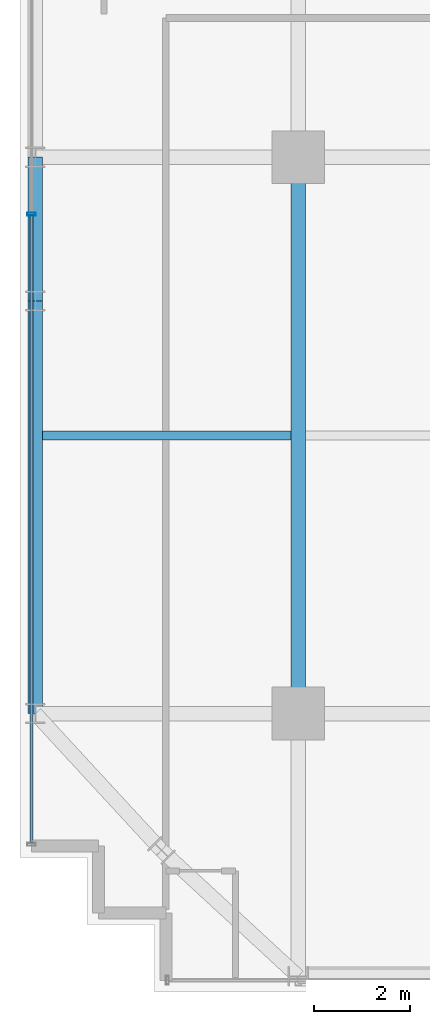
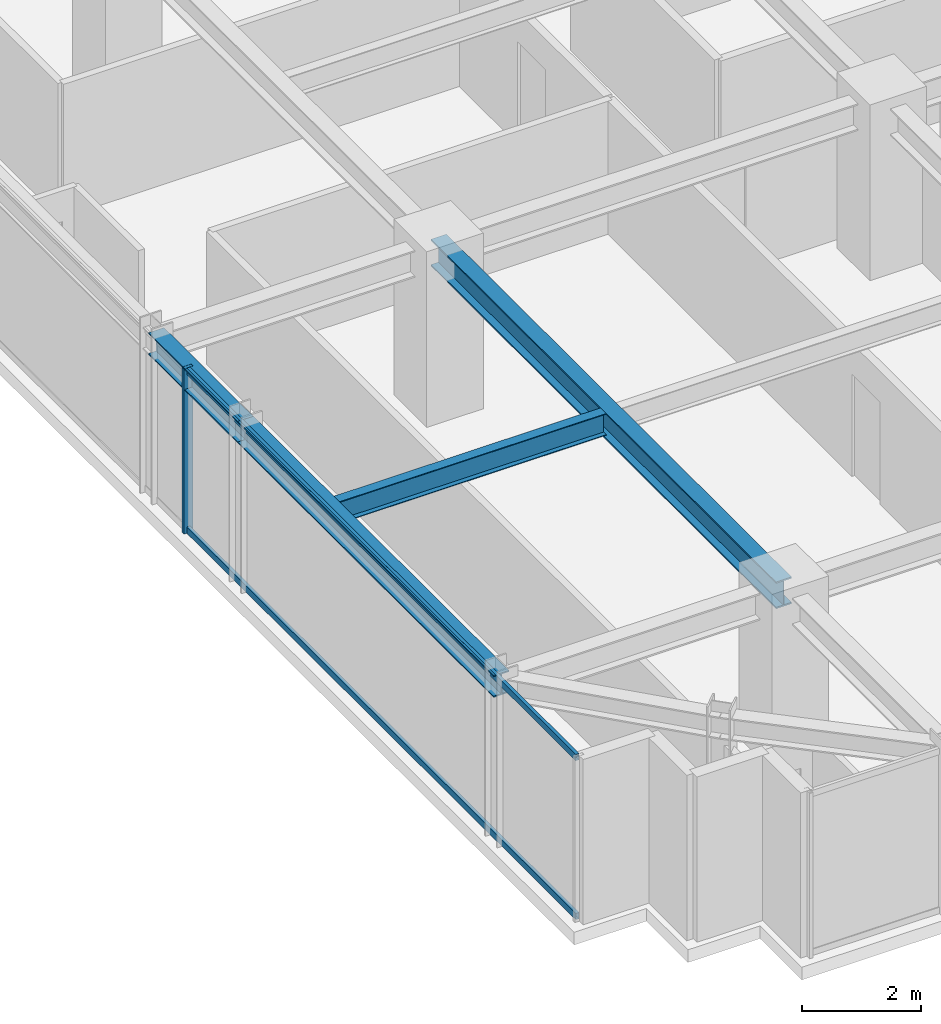
# One storey, part 4 of 29: 4 beams, 3 members, 1 element without a shape of its own.
"""IFC4 building model written with IfcOpenShell, lengths in metres."""

from ifc_helpers import new_model, si_unit, direction, frame, origin, origin_2d, place, context, subcontext, project, spatial, hollow_rectangle, i_section, extrude, source, transform, mapped, material, material_profile, profile_set, type_object, element, aggregate, save


model = new_model("IFC4")

# Units and contexts
model_context = context("Model", 3, precision=1e-05, world=origin(), true_north=direction((0.0, 1.0)))
body_context = subcontext(model_context, "Body", "Model", "MODEL_VIEW")
ifc_project = project(units=[si_unit("LENGTHUNIT", "METRE"), si_unit("AREAUNIT", "SQUARE_METRE"), si_unit("VOLUMEUNIT", "CUBIC_METRE"), si_unit("PLANEANGLEUNIT", "RADIAN"), si_unit("MASSUNIT", "GRAM", prefix="KILO")], contexts=[model_context])

# Site, building, storey
site_placement = place(None, origin())
site = spatial("IfcSite", under=ifc_project, at=site_placement, CompositionType="ELEMENT")
building_placement = place(site_placement, origin())
building = spatial("IfcBuilding", under=site, at=building_placement, Name="Nahalor Promenade Grand Hotel", CompositionType="ELEMENT")
storey_placement = place(building_placement, frame((0.0, 0.0, 189.14990234375)))
storey = spatial("IfcBuildingStorey", under=building, at=storey_placement, Name="L48", CompositionType="ELEMENT", Elevation=189.14990234375)

# Beams
ifc_material_1 = material(Name="Steel S355JR", Category="steel")
ifc_material_profile_1 = material_profile(ifc_material_1, i_section(OverallWidth=0.3, OverallDepth=0.55, WebThickness=0.015, FlangeThickness=0.029, at=origin_2d()), Name="HEB 550")
ifc_profile_set_1 = profile_set([ifc_material_profile_1], Name="Steel S355JR")
beam_type_1 = type_object("IfcBeamType", Name="Beam-Girder-HEB550", PredefinedType="BEAM", material=ifc_profile_set_1)
shared_shape_1 = source(origin(), body_context, "Body", "SweptSolid", [
    extrude(i_section(OverallWidth=0.3, OverallDepth=0.55, WebThickness=0.015, FlangeThickness=0.029, at=origin_2d()), origin(), (0.0, 0.0, 1.0), 11.60009765625),
])
beam_1_placement = place(storey_placement, frame((-17.0, -17.0, 3.114990234375), z_axis=(0.0, 1.0, 0.0), x_axis=(-1.0, 0.0, 0.0)))
element("IfcBeam", 1, at=beam_1_placement, inside=storey, type_object=beam_type_1, Name="BM-L48-GY-0-1", PredefinedType="BEAM", context=body_context, shape_type="MappedRepresentation", body=[
    mapped(shared_shape_1, transform((0.0, 0.0, 0.0), scale=1.0)),
])
ifc_material_profile_2 = material_profile(ifc_material_1, i_section(OverallWidth=0.19, OverallDepth=0.45, WebThickness=0.0094, FlangeThickness=0.0146, at=origin_2d()), Name="IPE 450")
ifc_profile_set_2 = profile_set([ifc_material_profile_2], Name="Steel S355JR")
beam_type_2 = type_object("IfcBeamType", Name="Beam-Joist-IPE450", PredefinedType="JOIST", material=ifc_profile_set_2)
shared_shape_2 = source(origin(), body_context, "Body", "SweptSolid", [
    extrude(i_section(OverallWidth=0.19, OverallDepth=0.45, WebThickness=0.0094, FlangeThickness=0.0146, at=origin_2d()), origin(), (0.0, 0.0, 1.0), 5.18017578125),
])
beam_2_placement = place(storey_placement, frame((-22.330078125, -11.199951171875, 3.1650390625), z_axis=(1.0, 0.0, 0.0), x_axis=(0.0, 1.0, 0.0)))
element("IfcBeam", 2, at=beam_2_placement, inside=storey, type_object=beam_type_2, Name="BM-L48-JSW-0-0", PredefinedType="JOIST", context=body_context, shape_type="MappedRepresentation", body=[
    mapped(shared_shape_2, transform((0.0, 0.0, 0.0), scale=1.0)),
])
ifc_material_profile_3 = material_profile(ifc_material_1, i_section(OverallWidth=0.3, OverallDepth=0.45, WebThickness=0.014, FlangeThickness=0.026, at=origin_2d()), Name="HEB 450")
ifc_profile_set_3 = profile_set([ifc_material_profile_3], Name="Steel S355JR")
beam_type_3 = type_object("IfcBeamType", Name="Beam-Spandrel-HEB450", PredefinedType="SPANDREL", material=ifc_profile_set_3)
shared_shape_3 = source(origin(), body_context, "Body", "SweptSolid", [
    extrude(i_section(OverallWidth=0.3, OverallDepth=0.45, WebThickness=0.014, FlangeThickness=0.026, at=origin_2d()), origin(), (0.0, 0.0, 1.0), 8.60009765625),
])
beam_3_placement = place(storey_placement, frame((-22.47998046875, -17.0, 3.1650390625), z_axis=(0.0, 1.0, 0.0), x_axis=(-1.0, 0.0, 0.0)))
element("IfcBeam", 3, at=beam_3_placement, inside=storey, type_object=beam_type_3, Name="BM-L48-SP-W-0", PredefinedType="SPANDREL", context=body_context, shape_type="MappedRepresentation", body=[
    mapped(shared_shape_3, transform((0.0, 0.0, 0.0), scale=1.0)),
])
shared_shape_4 = source(origin(), body_context, "Body", "SweptSolid", [
    extrude(i_section(OverallWidth=0.3, OverallDepth=0.45, WebThickness=0.014, FlangeThickness=0.026, at=origin_2d()), origin(), (0.0, 0.0, 1.0), 3.0),
])
beam_4_placement = place(storey_placement, frame((-22.47998046875, -8.39990234375, 3.1650390625), z_axis=(0.0, 1.0, 0.0), x_axis=(-1.0, 0.0, 0.0)))
element("IfcBeam", 4, at=beam_4_placement, inside=storey, type_object=beam_type_3, Name="BM-L48-SP-W-1", PredefinedType="SPANDREL", context=body_context, shape_type="MappedRepresentation", body=[
    mapped(shared_shape_4, transform((0.0, 0.0, 0.0), scale=1.0)),
])

# Curtain wall, members
ifc_material_2 = material(Name="Anodised Bronze Aluminium EN AW-6063 T6", Category="aluminium")
curtain_wall_type = type_object("IfcCurtainWallType", Name="CW2 Typical Hotel Flush Bronze Unitised Curtain Wall", PredefinedType="USERDEFINED", material=ifc_material_2)
curtain_wall_placement = place(storey_placement, origin())
curtain_wall = element("IfcCurtainWall", 5, at=curtain_wall_placement, inside=storey, type_object=curtain_wall_type, Name="L48 Curtain Wall CW-L48-W-1", ObjectType="UNITISED_CURTAIN_WALL", PredefinedType="USERDEFINED")
ifc_material_profile_4 = material_profile(ifc_material_2, hollow_rectangle(XDim=0.065, YDim=0.13, WallThickness=0.004, at=origin_2d()), Name="CWT 65x130x4")
ifc_profile_set_4 = profile_set([ifc_material_profile_4], Name="Anodised Bronze Aluminium EN AW-6063 T6")
member_type_1 = type_object("IfcMemberType", Name="CWT2 Typical Bronze Transom 65x130", PredefinedType="USERDEFINED", material=ifc_profile_set_4)
shared_shape_5 = source(origin(), body_context, "Body", "SweptSolid", [
    extrude(hollow_rectangle(XDim=0.065, YDim=0.13, WallThickness=0.004, at=origin_2d()), origin(), (0.0, 0.0, 1.0), 13.075927734375),
])
member_1_placement = place(storey_placement, frame((-22.56005859375, -19.695068359375, 0.065185546875), z_axis=(0.0, 1.0, 0.0), x_axis=(-1.0, 0.0, 0.0)))
member_1 = element("IfcMember", 6, at=member_1_placement, type_object=member_type_1, Name="CW-L48-W-1 Transom 0-0", ObjectType="TRANSOM", PredefinedType="USERDEFINED", context=body_context, shape_type="MappedRepresentation", body=[
    mapped(shared_shape_5, transform((0.0, 0.0, 0.0), scale=1.0)),
])
member_2_placement = place(storey_placement, frame((-22.56005859375, -19.695068359375, 3.3251953125), z_axis=(0.0, 1.0, 0.0), x_axis=(-1.0, 0.0, 0.0)))
member_2 = element("IfcMember", 7, at=member_2_placement, type_object=member_type_1, Name="CW-L48-W-1 Transom 0-1", ObjectType="TRANSOM", PredefinedType="USERDEFINED", context=body_context, shape_type="MappedRepresentation", body=[
    mapped(shared_shape_5, transform((0.0, 0.0, 0.0), scale=1.0)),
])
ifc_material_profile_5 = material_profile(ifc_material_2, hollow_rectangle(XDim=0.065, YDim=0.18, WallThickness=0.004, at=origin_2d()), Name="CWM 65x180x4")
ifc_profile_set_5 = profile_set([ifc_material_profile_5], Name="Anodised Bronze Aluminium EN AW-6063 T6")
member_type_2 = type_object("IfcMemberType", Name="CWM2 Typical Bronze Mullion 65x180", PredefinedType="MULLION", material=ifc_profile_set_5)
shared_shape_6 = source(origin(), body_context, "Body", "SweptSolid", [
    extrude(hollow_rectangle(XDim=0.065, YDim=0.18, WallThickness=0.004, at=origin_2d()), origin(), (0.0, 0.0, 1.0), 3.39013671875),
])
member_3_placement = place(storey_placement, frame((-22.56005859375, -6.586669921875, 0.0), z_axis=(0.0, 0.0, 1.0), x_axis=(0.0, 1.0, 0.0)))
member_3 = element("IfcMember", 8, at=member_3_placement, type_object=member_type_2, Name="CW-L48-W-1 Mullion 1", PredefinedType="MULLION", context=body_context, shape_type="MappedRepresentation", body=[
    mapped(shared_shape_6, transform((0.0, 0.0, 0.0), scale=1.0)),
])
aggregate(curtain_wall, [member_3, member_1, member_2])

save(model, "model.ifc")
